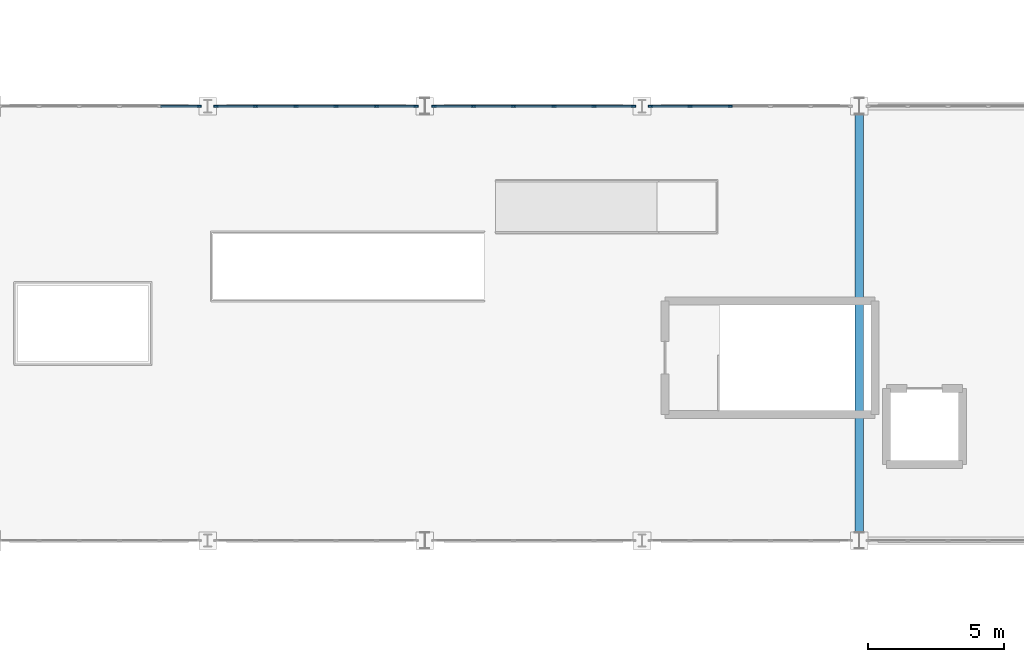
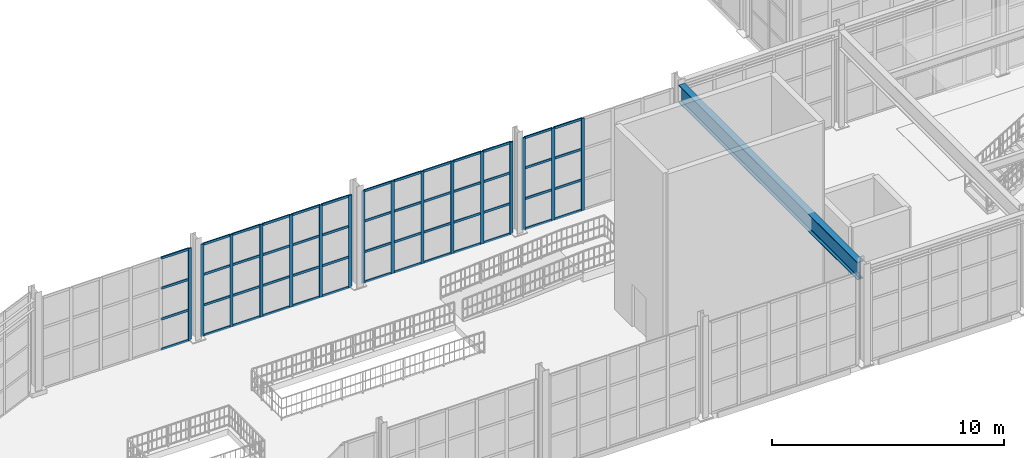
# One storey, part 30 of 82: 68 members, 1 beam, 4 elements without a shape of their own.
"""IFC4 building model written with IfcOpenShell, lengths in metres."""

from ifc_helpers import new_model, si_unit, direction, frame, origin, origin_2d, place, context, subcontext, project, spatial, rectangle, i_section, extrude, material, material_profile, profile_set, type_object, element, aggregate, save


model = new_model("IFC4")

# Units and contexts
model_context = context("Model", 3, precision=1e-05, world=origin(), true_north=direction((0.0, 1.0)))
body_context = subcontext(model_context, "Body", "Model", "MODEL_VIEW")
ifc_project = project(units=[si_unit("LENGTHUNIT", "METRE"), si_unit("AREAUNIT", "SQUARE_METRE"), si_unit("VOLUMEUNIT", "CUBIC_METRE"), si_unit("PLANEANGLEUNIT", "RADIAN"), si_unit("MASSUNIT", "GRAM", prefix="KILO")], contexts=[model_context])

# Site, building, storey
site_placement = place(None, origin())
site = spatial("IfcSite", under=ifc_project, at=site_placement, CompositionType="ELEMENT")
building_placement = place(site_placement, origin())
building = spatial("IfcBuilding", under=site, at=building_placement, Name="Serraluz Foothill Cableway Terminal", CompositionType="ELEMENT")
storey_placement = place(building_placement, frame((0.0, 0.0, 9.60009765625)))
storey = spatial("IfcBuildingStorey", under=building, at=storey_placement, Name="L02", CompositionType="ELEMENT", Elevation=9.60009765625)

# Beam
ifc_material_1 = material(Name="Steel ASTM A992 Grade 50", Category="steel")
ifc_material_profile_1 = material_profile(ifc_material_1, i_section(OverallWidth=0.30810546875, OverallDepth=0.927001953125, WebThickness=0.019287109375, FlangeThickness=0.031982421875, FilletRadius=0.02587890625, at=origin_2d()), Name="W36X194")
ifc_profile_set_1 = profile_set([ifc_material_profile_1], Name="Steel ASTM A992 Grade 50")
beam_type = type_object("IfcBeamType", Name="TYP-BM-W36X194", PredefinedType="BEAM", material=ifc_profile_set_1)
beam_placement = place(storey_placement, frame((72.0, 56.303955078125, 4.6865234375), z_axis=(0.0, 1.0, 0.0), x_axis=(-1.0, 0.0, 0.0)))
element("IfcBeam", 1, at=beam_placement, inside=storey, type_object=beam_type, Name="Transverse Girder BM-Y-L02-X72", PredefinedType="BEAM", context=body_context, shape_type="SweptSolid", body=[
    extrude(i_section(OverallWidth=0.30810546875, OverallDepth=0.927001953125, WebThickness=0.019287109375, FlangeThickness=0.031982421875, FilletRadius=0.02587890625, at=origin_2d()), origin(), (0.0, 0.0, 1.0), 15.39208984375),
])

# Curtain wall, member
ifc_material_2 = material(Name="Architectural bronze alloy C28000", Category="aluminium")
curtain_wall_type_1 = type_object("IfcCurtainWallType", Name="TYP-CW-540X420", PredefinedType="NOTDEFINED", material=ifc_material_2)
curtain_wall_1_placement = place(storey_placement, origin())
curtain_wall_1 = element("IfcCurtainWall", 2, at=curtain_wall_1_placement, inside=storey, type_object=curtain_wall_type_1, Name="Ribbed Glazed Curtain Wall CW-V1N-L02-40", PredefinedType="NOTDEFINED")
ifc_material_profile_2 = material_profile(ifc_material_2, rectangle(XDim=0.06005859375, YDim=0.159912109375, at=origin_2d()), Name="ALU MULLION 60x160")
ifc_profile_set_2 = profile_set([ifc_material_profile_2], Name="Architectural bronze alloy C28000")
member_type_1 = type_object("IfcMemberType", Name="TYP-CW-MUL-60X160", PredefinedType="MULLION", material=ifc_profile_set_2)
member_1_placement = place(storey_placement, frame((47.6884765625, 72.0, 0.0), z_axis=(0.0, 0.0, 1.0), x_axis=(0.0, 1.0, 0.0)))
member_1 = element("IfcMember", 3, at=member_1_placement, type_object=member_type_1, Name="CW-10 mullion 6", PredefinedType="MULLION", context=body_context, shape_type="SweptSolid", body=[
    extrude(rectangle(XDim=0.06005859375, YDim=0.159912109375, at=origin_2d()), origin(), (0.0, 0.0, 1.0), 4.849853515625),
])

# Curtain wall, members
curtain_wall_type_2 = type_object("IfcCurtainWallType", Name="TYP-CW-620X420", PredefinedType="NOTDEFINED", material=ifc_material_2)
curtain_wall_2_placement = place(storey_placement, origin())
curtain_wall_2 = element("IfcCurtainWall", 4, at=curtain_wall_2_placement, inside=storey, type_object=curtain_wall_type_2, Name="Ribbed Glazed Curtain Wall CW-V1N-L02-48", PredefinedType="NOTDEFINED")
member_2_placement = place(storey_placement, frame((48.3115234375, 72.0, 0.0), z_axis=(0.0, 0.0, 1.0), x_axis=(0.0, 1.0, 0.0)))
member_2 = element("IfcMember", 5, at=member_2_placement, type_object=member_type_1, Name="CW-11 mullion 1", PredefinedType="MULLION", context=body_context, shape_type="SweptSolid", body=[
    extrude(rectangle(XDim=0.06005859375, YDim=0.159912109375, at=origin_2d()), origin(), (0.0, 0.0, 1.0), 4.849853515625),
])
member_3_placement = place(storey_placement, frame((49.7646484375, 72.0, 0.0), z_axis=(0.0, 0.0, 1.0), x_axis=(0.0, 1.0, 0.0)))
member_3 = element("IfcMember", 6, at=member_3_placement, type_object=member_type_1, Name="CW-11 mullion 2", PredefinedType="MULLION", context=body_context, shape_type="SweptSolid", body=[
    extrude(rectangle(XDim=0.06005859375, YDim=0.159912109375, at=origin_2d()), origin(), (0.0, 0.0, 1.0), 4.849853515625),
])
member_4_placement = place(storey_placement, frame((51.247802734375, 72.0, 0.0), z_axis=(0.0, 0.0, 1.0), x_axis=(0.0, 1.0, 0.0)))
member_4 = element("IfcMember", 7, at=member_4_placement, type_object=member_type_1, Name="CW-11 mullion 3", PredefinedType="MULLION", context=body_context, shape_type="SweptSolid", body=[
    extrude(rectangle(XDim=0.06005859375, YDim=0.159912109375, at=origin_2d()), origin(), (0.0, 0.0, 1.0), 4.849853515625),
])
member_5_placement = place(storey_placement, frame((52.731201171875, 72.0, 0.0), z_axis=(0.0, 0.0, 1.0), x_axis=(0.0, 1.0, 0.0)))
member_5 = element("IfcMember", 8, at=member_5_placement, type_object=member_type_1, Name="CW-11 mullion 4", PredefinedType="MULLION", context=body_context, shape_type="SweptSolid", body=[
    extrude(rectangle(XDim=0.06005859375, YDim=0.159912109375, at=origin_2d()), origin(), (0.0, 0.0, 1.0), 4.849853515625),
])
member_6_placement = place(storey_placement, frame((54.21435546875, 72.0, 0.0), z_axis=(0.0, 0.0, 1.0), x_axis=(0.0, 1.0, 0.0)))
member_6 = element("IfcMember", 9, at=member_6_placement, type_object=member_type_1, Name="CW-11 mullion 5", PredefinedType="MULLION", context=body_context, shape_type="SweptSolid", body=[
    extrude(rectangle(XDim=0.06005859375, YDim=0.159912109375, at=origin_2d()), origin(), (0.0, 0.0, 1.0), 4.849853515625),
])
member_7_placement = place(storey_placement, frame((55.66748046875, 72.0, 0.0), z_axis=(0.0, 0.0, 1.0), x_axis=(0.0, 1.0, 0.0)))
member_7 = element("IfcMember", 10, at=member_7_placement, type_object=member_type_1, Name="CW-11 mullion 6", PredefinedType="MULLION", context=body_context, shape_type="SweptSolid", body=[
    extrude(rectangle(XDim=0.06005859375, YDim=0.159912109375, at=origin_2d()), origin(), (0.0, 0.0, 1.0), 4.849853515625),
])

curtain_wall_type_3 = type_object("IfcCurtainWallType", Name="TYP-CW-640X440", PredefinedType="NOTDEFINED", material=ifc_material_2)
curtain_wall_3_placement = place(storey_placement, origin())
curtain_wall_3 = element("IfcCurtainWall", 11, at=curtain_wall_3_placement, inside=storey, type_object=curtain_wall_type_3, Name="Ribbed Glazed Curtain Wall CW-V1N-L02-56", PredefinedType="NOTDEFINED")
member_8_placement = place(storey_placement, frame((56.33251953125, 72.0, 0.0), z_axis=(0.0, 0.0, 1.0), x_axis=(0.0, 1.0, 0.0)))
member_8 = element("IfcMember", 12, at=member_8_placement, type_object=member_type_1, Name="CW-12 mullion 1", PredefinedType="MULLION", context=body_context, shape_type="SweptSolid", body=[
    extrude(rectangle(XDim=0.06005859375, YDim=0.159912109375, at=origin_2d()), origin(), (0.0, 0.0, 1.0), 4.849853515625),
])
member_9_placement = place(storey_placement, frame((57.78564453125, 72.0, 0.0), z_axis=(0.0, 0.0, 1.0), x_axis=(0.0, 1.0, 0.0)))
member_9 = element("IfcMember", 13, at=member_9_placement, type_object=member_type_1, Name="CW-12 mullion 2", PredefinedType="MULLION", context=body_context, shape_type="SweptSolid", body=[
    extrude(rectangle(XDim=0.06005859375, YDim=0.159912109375, at=origin_2d()), origin(), (0.0, 0.0, 1.0), 4.849853515625),
])
member_10_placement = place(storey_placement, frame((59.268798828125, 72.0, 0.0), z_axis=(0.0, 0.0, 1.0), x_axis=(0.0, 1.0, 0.0)))
member_10 = element("IfcMember", 14, at=member_10_placement, type_object=member_type_1, Name="CW-12 mullion 3", PredefinedType="MULLION", context=body_context, shape_type="SweptSolid", body=[
    extrude(rectangle(XDim=0.06005859375, YDim=0.159912109375, at=origin_2d()), origin(), (0.0, 0.0, 1.0), 4.849853515625),
])
member_11_placement = place(storey_placement, frame((60.752197265625, 72.0, 0.0), z_axis=(0.0, 0.0, 1.0), x_axis=(0.0, 1.0, 0.0)))
member_11 = element("IfcMember", 15, at=member_11_placement, type_object=member_type_1, Name="CW-12 mullion 4", PredefinedType="MULLION", context=body_context, shape_type="SweptSolid", body=[
    extrude(rectangle(XDim=0.06005859375, YDim=0.159912109375, at=origin_2d()), origin(), (0.0, 0.0, 1.0), 4.849853515625),
])
member_12_placement = place(storey_placement, frame((62.2353515625, 72.0, 0.0), z_axis=(0.0, 0.0, 1.0), x_axis=(0.0, 1.0, 0.0)))
member_12 = element("IfcMember", 16, at=member_12_placement, type_object=member_type_1, Name="CW-12 mullion 5", PredefinedType="MULLION", context=body_context, shape_type="SweptSolid", body=[
    extrude(rectangle(XDim=0.06005859375, YDim=0.159912109375, at=origin_2d()), origin(), (0.0, 0.0, 1.0), 4.849853515625),
])
member_13_placement = place(storey_placement, frame((63.6884765625, 72.0, 0.0), z_axis=(0.0, 0.0, 1.0), x_axis=(0.0, 1.0, 0.0)))
member_13 = element("IfcMember", 17, at=member_13_placement, type_object=member_type_1, Name="CW-12 mullion 6", PredefinedType="MULLION", context=body_context, shape_type="SweptSolid", body=[
    extrude(rectangle(XDim=0.06005859375, YDim=0.159912109375, at=origin_2d()), origin(), (0.0, 0.0, 1.0), 4.849853515625),
])

curtain_wall_type_4 = type_object("IfcCurtainWallType", Name="TYP-CW-680X420", PredefinedType="NOTDEFINED", material=ifc_material_2)
curtain_wall_4_placement = place(storey_placement, origin())
curtain_wall_4 = element("IfcCurtainWall", 18, at=curtain_wall_4_placement, inside=storey, type_object=curtain_wall_type_4, Name="Ribbed Glazed Curtain Wall CW-V1N-L02-64", PredefinedType="NOTDEFINED")
member_14_placement = place(storey_placement, frame((64.3115234375, 72.0, 0.0), z_axis=(0.0, 0.0, 1.0), x_axis=(0.0, 1.0, 0.0)))
member_14 = element("IfcMember", 19, at=member_14_placement, type_object=member_type_1, Name="CW-13 mullion 1", PredefinedType="MULLION", context=body_context, shape_type="SweptSolid", body=[
    extrude(rectangle(XDim=0.06005859375, YDim=0.159912109375, at=origin_2d()), origin(), (0.0, 0.0, 1.0), 4.849853515625),
])
member_15_placement = place(storey_placement, frame((65.7646484375, 72.0, 0.0), z_axis=(0.0, 0.0, 1.0), x_axis=(0.0, 1.0, 0.0)))
member_15 = element("IfcMember", 20, at=member_15_placement, type_object=member_type_1, Name="CW-13 mullion 2", PredefinedType="MULLION", context=body_context, shape_type="SweptSolid", body=[
    extrude(rectangle(XDim=0.06005859375, YDim=0.159912109375, at=origin_2d()), origin(), (0.0, 0.0, 1.0), 4.849853515625),
])
member_16_placement = place(storey_placement, frame((67.247802734375, 72.0, 0.0), z_axis=(0.0, 0.0, 1.0), x_axis=(0.0, 1.0, 0.0)))
member_16 = element("IfcMember", 21, at=member_16_placement, type_object=member_type_1, Name="CW-13 mullion 3", PredefinedType="MULLION", context=body_context, shape_type="SweptSolid", body=[
    extrude(rectangle(XDim=0.06005859375, YDim=0.159912109375, at=origin_2d()), origin(), (0.0, 0.0, 1.0), 4.849853515625),
])

# Member
ifc_material_profile_3 = material_profile(ifc_material_2, rectangle(XDim=0.06005859375, YDim=0.1201171875, at=origin_2d()), Name="ALU TRANSOM 60x120")
ifc_profile_set_3 = profile_set([ifc_material_profile_3], Name="Architectural bronze alloy C28000")
member_type_2 = type_object("IfcMemberType", Name="TYP-CW-TRN-60X120", PredefinedType="USERDEFINED", material=ifc_profile_set_3)
member_17_placement = place(storey_placement, frame((46.265380859375, 72.0, 0.02978515625), z_axis=(1.0, 0.0, 0.0), x_axis=(0.0, 1.0, 0.0)))
member_17 = element("IfcMember", 22, at=member_17_placement, type_object=member_type_2, Name="CW-10 transom 5.1", ObjectType="TRANSOM", PredefinedType="USERDEFINED", context=body_context, shape_type="SweptSolid", body=[
    extrude(rectangle(XDim=0.06005859375, YDim=0.1201171875, at=origin_2d()), origin(), (0.0, 0.0, 1.0), 1.39306640625),
])

member_18_placement = place(storey_placement, frame((46.265380859375, 72.0, 1.61669921875), z_axis=(1.0, 0.0, 0.0), x_axis=(0.0, 1.0, 0.0)))
member_18 = element("IfcMember", 23, at=member_18_placement, type_object=member_type_2, Name="CW-10 transom 5.2", ObjectType="TRANSOM", PredefinedType="USERDEFINED", context=body_context, shape_type="SweptSolid", body=[
    extrude(rectangle(XDim=0.06005859375, YDim=0.1201171875, at=origin_2d()), origin(), (0.0, 0.0, 1.0), 1.39306640625),
])

member_19_placement = place(storey_placement, frame((46.265380859375, 72.0, 3.233154296875), z_axis=(1.0, 0.0, 0.0), x_axis=(0.0, 1.0, 0.0)))
member_19 = element("IfcMember", 24, at=member_19_placement, type_object=member_type_2, Name="CW-10 transom 5.3", ObjectType="TRANSOM", PredefinedType="USERDEFINED", context=body_context, shape_type="SweptSolid", body=[
    extrude(rectangle(XDim=0.06005859375, YDim=0.1201171875, at=origin_2d()), origin(), (0.0, 0.0, 1.0), 1.39306640625),
])

member_20_placement = place(storey_placement, frame((46.265380859375, 72.0, 4.81982421875), z_axis=(1.0, 0.0, 0.0), x_axis=(0.0, 1.0, 0.0)))
member_20 = element("IfcMember", 25, at=member_20_placement, type_object=member_type_2, Name="CW-10 transom 5.4", ObjectType="TRANSOM", PredefinedType="USERDEFINED", context=body_context, shape_type="SweptSolid", body=[
    extrude(rectangle(XDim=0.06005859375, YDim=0.1201171875, at=origin_2d()), origin(), (0.0, 0.0, 1.0), 1.39306640625),
])

aggregate(curtain_wall_1, [member_1, member_17, member_18, member_19, member_20])

member_21_placement = place(storey_placement, frame((48.341552734375, 72.0, 0.02978515625), z_axis=(1.0, 0.0, 0.0), x_axis=(0.0, 1.0, 0.0)))
member_21 = element("IfcMember", 26, at=member_21_placement, type_object=member_type_2, Name="CW-11 transom 1.1", ObjectType="TRANSOM", PredefinedType="USERDEFINED", context=body_context, shape_type="SweptSolid", body=[
    extrude(rectangle(XDim=0.06005859375, YDim=0.1201171875, at=origin_2d()), origin(), (0.0, 0.0, 1.0), 1.39306640625),
])

member_22_placement = place(storey_placement, frame((48.341552734375, 72.0, 1.61669921875), z_axis=(1.0, 0.0, 0.0), x_axis=(0.0, 1.0, 0.0)))
member_22 = element("IfcMember", 27, at=member_22_placement, type_object=member_type_2, Name="CW-11 transom 1.2", ObjectType="TRANSOM", PredefinedType="USERDEFINED", context=body_context, shape_type="SweptSolid", body=[
    extrude(rectangle(XDim=0.06005859375, YDim=0.1201171875, at=origin_2d()), origin(), (0.0, 0.0, 1.0), 1.39306640625),
])

member_23_placement = place(storey_placement, frame((48.341552734375, 72.0, 3.233154296875), z_axis=(1.0, 0.0, 0.0), x_axis=(0.0, 1.0, 0.0)))
member_23 = element("IfcMember", 28, at=member_23_placement, type_object=member_type_2, Name="CW-11 transom 1.3", ObjectType="TRANSOM", PredefinedType="USERDEFINED", context=body_context, shape_type="SweptSolid", body=[
    extrude(rectangle(XDim=0.06005859375, YDim=0.1201171875, at=origin_2d()), origin(), (0.0, 0.0, 1.0), 1.39306640625),
])

member_24_placement = place(storey_placement, frame((48.341552734375, 72.0, 4.81982421875), z_axis=(1.0, 0.0, 0.0), x_axis=(0.0, 1.0, 0.0)))
member_24 = element("IfcMember", 29, at=member_24_placement, type_object=member_type_2, Name="CW-11 transom 1.4", ObjectType="TRANSOM", PredefinedType="USERDEFINED", context=body_context, shape_type="SweptSolid", body=[
    extrude(rectangle(XDim=0.06005859375, YDim=0.1201171875, at=origin_2d()), origin(), (0.0, 0.0, 1.0), 1.39306640625),
])

member_25_placement = place(storey_placement, frame((49.794677734375, 72.0, 0.02978515625), z_axis=(1.0, 0.0, 0.0), x_axis=(0.0, 1.0, 0.0)))
member_25 = element("IfcMember", 30, at=member_25_placement, type_object=member_type_2, Name="CW-11 transom 2.1", ObjectType="TRANSOM", PredefinedType="USERDEFINED", context=body_context, shape_type="SweptSolid", body=[
    extrude(rectangle(XDim=0.06005859375, YDim=0.1201171875, at=origin_2d()), origin(), (0.0, 0.0, 1.0), 1.42333984375),
])

member_26_placement = place(storey_placement, frame((49.794677734375, 72.0, 1.61669921875), z_axis=(1.0, 0.0, 0.0), x_axis=(0.0, 1.0, 0.0)))
member_26 = element("IfcMember", 31, at=member_26_placement, type_object=member_type_2, Name="CW-11 transom 2.2", ObjectType="TRANSOM", PredefinedType="USERDEFINED", context=body_context, shape_type="SweptSolid", body=[
    extrude(rectangle(XDim=0.06005859375, YDim=0.1201171875, at=origin_2d()), origin(), (0.0, 0.0, 1.0), 1.42333984375),
])

member_27_placement = place(storey_placement, frame((49.794677734375, 72.0, 3.233154296875), z_axis=(1.0, 0.0, 0.0), x_axis=(0.0, 1.0, 0.0)))
member_27 = element("IfcMember", 32, at=member_27_placement, type_object=member_type_2, Name="CW-11 transom 2.3", ObjectType="TRANSOM", PredefinedType="USERDEFINED", context=body_context, shape_type="SweptSolid", body=[
    extrude(rectangle(XDim=0.06005859375, YDim=0.1201171875, at=origin_2d()), origin(), (0.0, 0.0, 1.0), 1.42333984375),
])

member_28_placement = place(storey_placement, frame((49.794677734375, 72.0, 4.81982421875), z_axis=(1.0, 0.0, 0.0), x_axis=(0.0, 1.0, 0.0)))
member_28 = element("IfcMember", 33, at=member_28_placement, type_object=member_type_2, Name="CW-11 transom 2.4", ObjectType="TRANSOM", PredefinedType="USERDEFINED", context=body_context, shape_type="SweptSolid", body=[
    extrude(rectangle(XDim=0.06005859375, YDim=0.1201171875, at=origin_2d()), origin(), (0.0, 0.0, 1.0), 1.42333984375),
])

member_29_placement = place(storey_placement, frame((51.27783203125, 72.0, 0.02978515625), z_axis=(1.0, 0.0, 0.0), x_axis=(0.0, 1.0, 0.0)))
member_29 = element("IfcMember", 34, at=member_29_placement, type_object=member_type_2, Name="CW-11 transom 3.1", ObjectType="TRANSOM", PredefinedType="USERDEFINED", context=body_context, shape_type="SweptSolid", body=[
    extrude(rectangle(XDim=0.06005859375, YDim=0.1201171875, at=origin_2d()), origin(), (0.0, 0.0, 1.0), 1.42333984375),
])

member_30_placement = place(storey_placement, frame((51.27783203125, 72.0, 1.61669921875), z_axis=(1.0, 0.0, 0.0), x_axis=(0.0, 1.0, 0.0)))
member_30 = element("IfcMember", 35, at=member_30_placement, type_object=member_type_2, Name="CW-11 transom 3.2", ObjectType="TRANSOM", PredefinedType="USERDEFINED", context=body_context, shape_type="SweptSolid", body=[
    extrude(rectangle(XDim=0.06005859375, YDim=0.1201171875, at=origin_2d()), origin(), (0.0, 0.0, 1.0), 1.42333984375),
])

member_31_placement = place(storey_placement, frame((51.27783203125, 72.0, 3.233154296875), z_axis=(1.0, 0.0, 0.0), x_axis=(0.0, 1.0, 0.0)))
member_31 = element("IfcMember", 36, at=member_31_placement, type_object=member_type_2, Name="CW-11 transom 3.3", ObjectType="TRANSOM", PredefinedType="USERDEFINED", context=body_context, shape_type="SweptSolid", body=[
    extrude(rectangle(XDim=0.06005859375, YDim=0.1201171875, at=origin_2d()), origin(), (0.0, 0.0, 1.0), 1.42333984375),
])

member_32_placement = place(storey_placement, frame((51.27783203125, 72.0, 4.81982421875), z_axis=(1.0, 0.0, 0.0), x_axis=(0.0, 1.0, 0.0)))
member_32 = element("IfcMember", 37, at=member_32_placement, type_object=member_type_2, Name="CW-11 transom 3.4", ObjectType="TRANSOM", PredefinedType="USERDEFINED", context=body_context, shape_type="SweptSolid", body=[
    extrude(rectangle(XDim=0.06005859375, YDim=0.1201171875, at=origin_2d()), origin(), (0.0, 0.0, 1.0), 1.42333984375),
])

member_33_placement = place(storey_placement, frame((52.760986328125, 72.0, 0.02978515625), z_axis=(1.0, 0.0, 0.0), x_axis=(0.0, 1.0, 0.0)))
member_33 = element("IfcMember", 38, at=member_33_placement, type_object=member_type_2, Name="CW-11 transom 4.1", ObjectType="TRANSOM", PredefinedType="USERDEFINED", context=body_context, shape_type="SweptSolid", body=[
    extrude(rectangle(XDim=0.06005859375, YDim=0.1201171875, at=origin_2d()), origin(), (0.0, 0.0, 1.0), 1.42333984375),
])

member_34_placement = place(storey_placement, frame((52.760986328125, 72.0, 1.61669921875), z_axis=(1.0, 0.0, 0.0), x_axis=(0.0, 1.0, 0.0)))
member_34 = element("IfcMember", 39, at=member_34_placement, type_object=member_type_2, Name="CW-11 transom 4.2", ObjectType="TRANSOM", PredefinedType="USERDEFINED", context=body_context, shape_type="SweptSolid", body=[
    extrude(rectangle(XDim=0.06005859375, YDim=0.1201171875, at=origin_2d()), origin(), (0.0, 0.0, 1.0), 1.42333984375),
])

member_35_placement = place(storey_placement, frame((52.760986328125, 72.0, 3.233154296875), z_axis=(1.0, 0.0, 0.0), x_axis=(0.0, 1.0, 0.0)))
member_35 = element("IfcMember", 40, at=member_35_placement, type_object=member_type_2, Name="CW-11 transom 4.3", ObjectType="TRANSOM", PredefinedType="USERDEFINED", context=body_context, shape_type="SweptSolid", body=[
    extrude(rectangle(XDim=0.06005859375, YDim=0.1201171875, at=origin_2d()), origin(), (0.0, 0.0, 1.0), 1.42333984375),
])

member_36_placement = place(storey_placement, frame((52.760986328125, 72.0, 4.81982421875), z_axis=(1.0, 0.0, 0.0), x_axis=(0.0, 1.0, 0.0)))
member_36 = element("IfcMember", 41, at=member_36_placement, type_object=member_type_2, Name="CW-11 transom 4.4", ObjectType="TRANSOM", PredefinedType="USERDEFINED", context=body_context, shape_type="SweptSolid", body=[
    extrude(rectangle(XDim=0.06005859375, YDim=0.1201171875, at=origin_2d()), origin(), (0.0, 0.0, 1.0), 1.42333984375),
])

member_37_placement = place(storey_placement, frame((54.244384765625, 72.0, 0.02978515625), z_axis=(1.0, 0.0, 0.0), x_axis=(0.0, 1.0, 0.0)))
member_37 = element("IfcMember", 42, at=member_37_placement, type_object=member_type_2, Name="CW-11 transom 5.1", ObjectType="TRANSOM", PredefinedType="USERDEFINED", context=body_context, shape_type="SweptSolid", body=[
    extrude(rectangle(XDim=0.06005859375, YDim=0.1201171875, at=origin_2d()), origin(), (0.0, 0.0, 1.0), 1.39306640625),
])

member_38_placement = place(storey_placement, frame((54.244384765625, 72.0, 1.61669921875), z_axis=(1.0, 0.0, 0.0), x_axis=(0.0, 1.0, 0.0)))
member_38 = element("IfcMember", 43, at=member_38_placement, type_object=member_type_2, Name="CW-11 transom 5.2", ObjectType="TRANSOM", PredefinedType="USERDEFINED", context=body_context, shape_type="SweptSolid", body=[
    extrude(rectangle(XDim=0.06005859375, YDim=0.1201171875, at=origin_2d()), origin(), (0.0, 0.0, 1.0), 1.39306640625),
])

member_39_placement = place(storey_placement, frame((54.244384765625, 72.0, 3.233154296875), z_axis=(1.0, 0.0, 0.0), x_axis=(0.0, 1.0, 0.0)))
member_39 = element("IfcMember", 44, at=member_39_placement, type_object=member_type_2, Name="CW-11 transom 5.3", ObjectType="TRANSOM", PredefinedType="USERDEFINED", context=body_context, shape_type="SweptSolid", body=[
    extrude(rectangle(XDim=0.06005859375, YDim=0.1201171875, at=origin_2d()), origin(), (0.0, 0.0, 1.0), 1.39306640625),
])

member_40_placement = place(storey_placement, frame((54.244384765625, 72.0, 4.81982421875), z_axis=(1.0, 0.0, 0.0), x_axis=(0.0, 1.0, 0.0)))
member_40 = element("IfcMember", 45, at=member_40_placement, type_object=member_type_2, Name="CW-11 transom 5.4", ObjectType="TRANSOM", PredefinedType="USERDEFINED", context=body_context, shape_type="SweptSolid", body=[
    extrude(rectangle(XDim=0.06005859375, YDim=0.1201171875, at=origin_2d()), origin(), (0.0, 0.0, 1.0), 1.39306640625),
])

aggregate(curtain_wall_2, [member_2, member_3, member_4, member_5, member_6, member_7, member_21, member_22, member_23, member_24, member_25, member_26, member_27, member_28, member_29, member_30, member_31, member_32, member_33, member_34, member_35, member_36, member_37, member_38, member_39, member_40])

member_41_placement = place(storey_placement, frame((56.362548828125, 72.0, 0.02978515625), z_axis=(1.0, 0.0, 0.0), x_axis=(0.0, 1.0, 0.0)))
member_41 = element("IfcMember", 46, at=member_41_placement, type_object=member_type_2, Name="CW-12 transom 1.1", ObjectType="TRANSOM", PredefinedType="USERDEFINED", context=body_context, shape_type="SweptSolid", body=[
    extrude(rectangle(XDim=0.06005859375, YDim=0.1201171875, at=origin_2d()), origin(), (0.0, 0.0, 1.0), 1.39306640625),
])

member_42_placement = place(storey_placement, frame((56.362548828125, 72.0, 1.61669921875), z_axis=(1.0, 0.0, 0.0), x_axis=(0.0, 1.0, 0.0)))
member_42 = element("IfcMember", 47, at=member_42_placement, type_object=member_type_2, Name="CW-12 transom 1.2", ObjectType="TRANSOM", PredefinedType="USERDEFINED", context=body_context, shape_type="SweptSolid", body=[
    extrude(rectangle(XDim=0.06005859375, YDim=0.1201171875, at=origin_2d()), origin(), (0.0, 0.0, 1.0), 1.39306640625),
])

member_43_placement = place(storey_placement, frame((56.362548828125, 72.0, 3.233154296875), z_axis=(1.0, 0.0, 0.0), x_axis=(0.0, 1.0, 0.0)))
member_43 = element("IfcMember", 48, at=member_43_placement, type_object=member_type_2, Name="CW-12 transom 1.3", ObjectType="TRANSOM", PredefinedType="USERDEFINED", context=body_context, shape_type="SweptSolid", body=[
    extrude(rectangle(XDim=0.06005859375, YDim=0.1201171875, at=origin_2d()), origin(), (0.0, 0.0, 1.0), 1.39306640625),
])

member_44_placement = place(storey_placement, frame((56.362548828125, 72.0, 4.81982421875), z_axis=(1.0, 0.0, 0.0), x_axis=(0.0, 1.0, 0.0)))
member_44 = element("IfcMember", 49, at=member_44_placement, type_object=member_type_2, Name="CW-12 transom 1.4", ObjectType="TRANSOM", PredefinedType="USERDEFINED", context=body_context, shape_type="SweptSolid", body=[
    extrude(rectangle(XDim=0.06005859375, YDim=0.1201171875, at=origin_2d()), origin(), (0.0, 0.0, 1.0), 1.39306640625),
])

member_45_placement = place(storey_placement, frame((57.815673828125, 72.0, 0.02978515625), z_axis=(1.0, 0.0, 0.0), x_axis=(0.0, 1.0, 0.0)))
member_45 = element("IfcMember", 50, at=member_45_placement, type_object=member_type_2, Name="CW-12 transom 2.1", ObjectType="TRANSOM", PredefinedType="USERDEFINED", context=body_context, shape_type="SweptSolid", body=[
    extrude(rectangle(XDim=0.06005859375, YDim=0.1201171875, at=origin_2d()), origin(), (0.0, 0.0, 1.0), 1.42333984375),
])

member_46_placement = place(storey_placement, frame((57.815673828125, 72.0, 1.61669921875), z_axis=(1.0, 0.0, 0.0), x_axis=(0.0, 1.0, 0.0)))
member_46 = element("IfcMember", 51, at=member_46_placement, type_object=member_type_2, Name="CW-12 transom 2.2", ObjectType="TRANSOM", PredefinedType="USERDEFINED", context=body_context, shape_type="SweptSolid", body=[
    extrude(rectangle(XDim=0.06005859375, YDim=0.1201171875, at=origin_2d()), origin(), (0.0, 0.0, 1.0), 1.42333984375),
])

member_47_placement = place(storey_placement, frame((57.815673828125, 72.0, 3.233154296875), z_axis=(1.0, 0.0, 0.0), x_axis=(0.0, 1.0, 0.0)))
member_47 = element("IfcMember", 52, at=member_47_placement, type_object=member_type_2, Name="CW-12 transom 2.3", ObjectType="TRANSOM", PredefinedType="USERDEFINED", context=body_context, shape_type="SweptSolid", body=[
    extrude(rectangle(XDim=0.06005859375, YDim=0.1201171875, at=origin_2d()), origin(), (0.0, 0.0, 1.0), 1.42333984375),
])

member_48_placement = place(storey_placement, frame((57.815673828125, 72.0, 4.81982421875), z_axis=(1.0, 0.0, 0.0), x_axis=(0.0, 1.0, 0.0)))
member_48 = element("IfcMember", 53, at=member_48_placement, type_object=member_type_2, Name="CW-12 transom 2.4", ObjectType="TRANSOM", PredefinedType="USERDEFINED", context=body_context, shape_type="SweptSolid", body=[
    extrude(rectangle(XDim=0.06005859375, YDim=0.1201171875, at=origin_2d()), origin(), (0.0, 0.0, 1.0), 1.42333984375),
])

member_49_placement = place(storey_placement, frame((59.298828125, 72.0, 0.02978515625), z_axis=(1.0, 0.0, 0.0), x_axis=(0.0, 1.0, 0.0)))
member_49 = element("IfcMember", 54, at=member_49_placement, type_object=member_type_2, Name="CW-12 transom 3.1", ObjectType="TRANSOM", PredefinedType="USERDEFINED", context=body_context, shape_type="SweptSolid", body=[
    extrude(rectangle(XDim=0.06005859375, YDim=0.1201171875, at=origin_2d()), origin(), (0.0, 0.0, 1.0), 1.42333984375),
])

member_50_placement = place(storey_placement, frame((59.298828125, 72.0, 1.61669921875), z_axis=(1.0, 0.0, 0.0), x_axis=(0.0, 1.0, 0.0)))
member_50 = element("IfcMember", 55, at=member_50_placement, type_object=member_type_2, Name="CW-12 transom 3.2", ObjectType="TRANSOM", PredefinedType="USERDEFINED", context=body_context, shape_type="SweptSolid", body=[
    extrude(rectangle(XDim=0.06005859375, YDim=0.1201171875, at=origin_2d()), origin(), (0.0, 0.0, 1.0), 1.42333984375),
])

member_51_placement = place(storey_placement, frame((59.298828125, 72.0, 3.233154296875), z_axis=(1.0, 0.0, 0.0), x_axis=(0.0, 1.0, 0.0)))
member_51 = element("IfcMember", 56, at=member_51_placement, type_object=member_type_2, Name="CW-12 transom 3.3", ObjectType="TRANSOM", PredefinedType="USERDEFINED", context=body_context, shape_type="SweptSolid", body=[
    extrude(rectangle(XDim=0.06005859375, YDim=0.1201171875, at=origin_2d()), origin(), (0.0, 0.0, 1.0), 1.42333984375),
])

member_52_placement = place(storey_placement, frame((59.298828125, 72.0, 4.81982421875), z_axis=(1.0, 0.0, 0.0), x_axis=(0.0, 1.0, 0.0)))
member_52 = element("IfcMember", 57, at=member_52_placement, type_object=member_type_2, Name="CW-12 transom 3.4", ObjectType="TRANSOM", PredefinedType="USERDEFINED", context=body_context, shape_type="SweptSolid", body=[
    extrude(rectangle(XDim=0.06005859375, YDim=0.1201171875, at=origin_2d()), origin(), (0.0, 0.0, 1.0), 1.42333984375),
])

member_53_placement = place(storey_placement, frame((60.781982421875, 72.0, 0.02978515625), z_axis=(1.0, 0.0, 0.0), x_axis=(0.0, 1.0, 0.0)))
member_53 = element("IfcMember", 58, at=member_53_placement, type_object=member_type_2, Name="CW-12 transom 4.1", ObjectType="TRANSOM", PredefinedType="USERDEFINED", context=body_context, shape_type="SweptSolid", body=[
    extrude(rectangle(XDim=0.06005859375, YDim=0.1201171875, at=origin_2d()), origin(), (0.0, 0.0, 1.0), 1.42333984375),
])

member_54_placement = place(storey_placement, frame((60.781982421875, 72.0, 1.61669921875), z_axis=(1.0, 0.0, 0.0), x_axis=(0.0, 1.0, 0.0)))
member_54 = element("IfcMember", 59, at=member_54_placement, type_object=member_type_2, Name="CW-12 transom 4.2", ObjectType="TRANSOM", PredefinedType="USERDEFINED", context=body_context, shape_type="SweptSolid", body=[
    extrude(rectangle(XDim=0.06005859375, YDim=0.1201171875, at=origin_2d()), origin(), (0.0, 0.0, 1.0), 1.42333984375),
])

member_55_placement = place(storey_placement, frame((60.781982421875, 72.0, 3.233154296875), z_axis=(1.0, 0.0, 0.0), x_axis=(0.0, 1.0, 0.0)))
member_55 = element("IfcMember", 60, at=member_55_placement, type_object=member_type_2, Name="CW-12 transom 4.3", ObjectType="TRANSOM", PredefinedType="USERDEFINED", context=body_context, shape_type="SweptSolid", body=[
    extrude(rectangle(XDim=0.06005859375, YDim=0.1201171875, at=origin_2d()), origin(), (0.0, 0.0, 1.0), 1.42333984375),
])

member_56_placement = place(storey_placement, frame((60.781982421875, 72.0, 4.81982421875), z_axis=(1.0, 0.0, 0.0), x_axis=(0.0, 1.0, 0.0)))
member_56 = element("IfcMember", 61, at=member_56_placement, type_object=member_type_2, Name="CW-12 transom 4.4", ObjectType="TRANSOM", PredefinedType="USERDEFINED", context=body_context, shape_type="SweptSolid", body=[
    extrude(rectangle(XDim=0.06005859375, YDim=0.1201171875, at=origin_2d()), origin(), (0.0, 0.0, 1.0), 1.42333984375),
])

member_57_placement = place(storey_placement, frame((62.265380859375, 72.0, 0.02978515625), z_axis=(1.0, 0.0, 0.0), x_axis=(0.0, 1.0, 0.0)))
member_57 = element("IfcMember", 62, at=member_57_placement, type_object=member_type_2, Name="CW-12 transom 5.1", ObjectType="TRANSOM", PredefinedType="USERDEFINED", context=body_context, shape_type="SweptSolid", body=[
    extrude(rectangle(XDim=0.06005859375, YDim=0.1201171875, at=origin_2d()), origin(), (0.0, 0.0, 1.0), 1.39306640625),
])

member_58_placement = place(storey_placement, frame((62.265380859375, 72.0, 1.61669921875), z_axis=(1.0, 0.0, 0.0), x_axis=(0.0, 1.0, 0.0)))
member_58 = element("IfcMember", 63, at=member_58_placement, type_object=member_type_2, Name="CW-12 transom 5.2", ObjectType="TRANSOM", PredefinedType="USERDEFINED", context=body_context, shape_type="SweptSolid", body=[
    extrude(rectangle(XDim=0.06005859375, YDim=0.1201171875, at=origin_2d()), origin(), (0.0, 0.0, 1.0), 1.39306640625),
])

member_59_placement = place(storey_placement, frame((62.265380859375, 72.0, 3.233154296875), z_axis=(1.0, 0.0, 0.0), x_axis=(0.0, 1.0, 0.0)))
member_59 = element("IfcMember", 64, at=member_59_placement, type_object=member_type_2, Name="CW-12 transom 5.3", ObjectType="TRANSOM", PredefinedType="USERDEFINED", context=body_context, shape_type="SweptSolid", body=[
    extrude(rectangle(XDim=0.06005859375, YDim=0.1201171875, at=origin_2d()), origin(), (0.0, 0.0, 1.0), 1.39306640625),
])

member_60_placement = place(storey_placement, frame((62.265380859375, 72.0, 4.81982421875), z_axis=(1.0, 0.0, 0.0), x_axis=(0.0, 1.0, 0.0)))
member_60 = element("IfcMember", 65, at=member_60_placement, type_object=member_type_2, Name="CW-12 transom 5.4", ObjectType="TRANSOM", PredefinedType="USERDEFINED", context=body_context, shape_type="SweptSolid", body=[
    extrude(rectangle(XDim=0.06005859375, YDim=0.1201171875, at=origin_2d()), origin(), (0.0, 0.0, 1.0), 1.39306640625),
])

aggregate(curtain_wall_3, [member_8, member_9, member_10, member_11, member_12, member_13, member_41, member_42, member_43, member_44, member_45, member_46, member_47, member_48, member_49, member_50, member_51, member_52, member_53, member_54, member_55, member_56, member_57, member_58, member_59, member_60])

member_61_placement = place(storey_placement, frame((64.341552734375, 72.0, 0.02978515625), z_axis=(1.0, 0.0, 0.0), x_axis=(0.0, 1.0, 0.0)))
member_61 = element("IfcMember", 66, at=member_61_placement, type_object=member_type_2, Name="CW-13 transom 1.1", ObjectType="TRANSOM", PredefinedType="USERDEFINED", context=body_context, shape_type="SweptSolid", body=[
    extrude(rectangle(XDim=0.06005859375, YDim=0.1201171875, at=origin_2d()), origin(), (0.0, 0.0, 1.0), 1.39306640625),
])

member_62_placement = place(storey_placement, frame((64.341552734375, 72.0, 1.61669921875), z_axis=(1.0, 0.0, 0.0), x_axis=(0.0, 1.0, 0.0)))
member_62 = element("IfcMember", 67, at=member_62_placement, type_object=member_type_2, Name="CW-13 transom 1.2", ObjectType="TRANSOM", PredefinedType="USERDEFINED", context=body_context, shape_type="SweptSolid", body=[
    extrude(rectangle(XDim=0.06005859375, YDim=0.1201171875, at=origin_2d()), origin(), (0.0, 0.0, 1.0), 1.39306640625),
])

member_63_placement = place(storey_placement, frame((64.341552734375, 72.0, 3.233154296875), z_axis=(1.0, 0.0, 0.0), x_axis=(0.0, 1.0, 0.0)))
member_63 = element("IfcMember", 68, at=member_63_placement, type_object=member_type_2, Name="CW-13 transom 1.3", ObjectType="TRANSOM", PredefinedType="USERDEFINED", context=body_context, shape_type="SweptSolid", body=[
    extrude(rectangle(XDim=0.06005859375, YDim=0.1201171875, at=origin_2d()), origin(), (0.0, 0.0, 1.0), 1.39306640625),
])

member_64_placement = place(storey_placement, frame((64.341552734375, 72.0, 4.81982421875), z_axis=(1.0, 0.0, 0.0), x_axis=(0.0, 1.0, 0.0)))
member_64 = element("IfcMember", 69, at=member_64_placement, type_object=member_type_2, Name="CW-13 transom 1.4", ObjectType="TRANSOM", PredefinedType="USERDEFINED", context=body_context, shape_type="SweptSolid", body=[
    extrude(rectangle(XDim=0.06005859375, YDim=0.1201171875, at=origin_2d()), origin(), (0.0, 0.0, 1.0), 1.39306640625),
])

member_65_placement = place(storey_placement, frame((65.794677734375, 72.0, 0.02978515625), z_axis=(1.0, 0.0, 0.0), x_axis=(0.0, 1.0, 0.0)))
member_65 = element("IfcMember", 70, at=member_65_placement, type_object=member_type_2, Name="CW-13 transom 2.1", ObjectType="TRANSOM", PredefinedType="USERDEFINED", context=body_context, shape_type="SweptSolid", body=[
    extrude(rectangle(XDim=0.06005859375, YDim=0.1201171875, at=origin_2d()), origin(), (0.0, 0.0, 1.0), 1.42333984375),
])

member_66_placement = place(storey_placement, frame((65.794677734375, 72.0, 1.61669921875), z_axis=(1.0, 0.0, 0.0), x_axis=(0.0, 1.0, 0.0)))
member_66 = element("IfcMember", 71, at=member_66_placement, type_object=member_type_2, Name="CW-13 transom 2.2", ObjectType="TRANSOM", PredefinedType="USERDEFINED", context=body_context, shape_type="SweptSolid", body=[
    extrude(rectangle(XDim=0.06005859375, YDim=0.1201171875, at=origin_2d()), origin(), (0.0, 0.0, 1.0), 1.42333984375),
])

member_67_placement = place(storey_placement, frame((65.794677734375, 72.0, 3.233154296875), z_axis=(1.0, 0.0, 0.0), x_axis=(0.0, 1.0, 0.0)))
member_67 = element("IfcMember", 72, at=member_67_placement, type_object=member_type_2, Name="CW-13 transom 2.3", ObjectType="TRANSOM", PredefinedType="USERDEFINED", context=body_context, shape_type="SweptSolid", body=[
    extrude(rectangle(XDim=0.06005859375, YDim=0.1201171875, at=origin_2d()), origin(), (0.0, 0.0, 1.0), 1.42333984375),
])

member_68_placement = place(storey_placement, frame((65.794677734375, 72.0, 4.81982421875), z_axis=(1.0, 0.0, 0.0), x_axis=(0.0, 1.0, 0.0)))
member_68 = element("IfcMember", 73, at=member_68_placement, type_object=member_type_2, Name="CW-13 transom 2.4", ObjectType="TRANSOM", PredefinedType="USERDEFINED", context=body_context, shape_type="SweptSolid", body=[
    extrude(rectangle(XDim=0.06005859375, YDim=0.1201171875, at=origin_2d()), origin(), (0.0, 0.0, 1.0), 1.42333984375),
])

aggregate(curtain_wall_4, [member_14, member_15, member_16, member_61, member_62, member_63, member_64, member_65, member_66, member_67, member_68])

save(model, "model.ifc")
